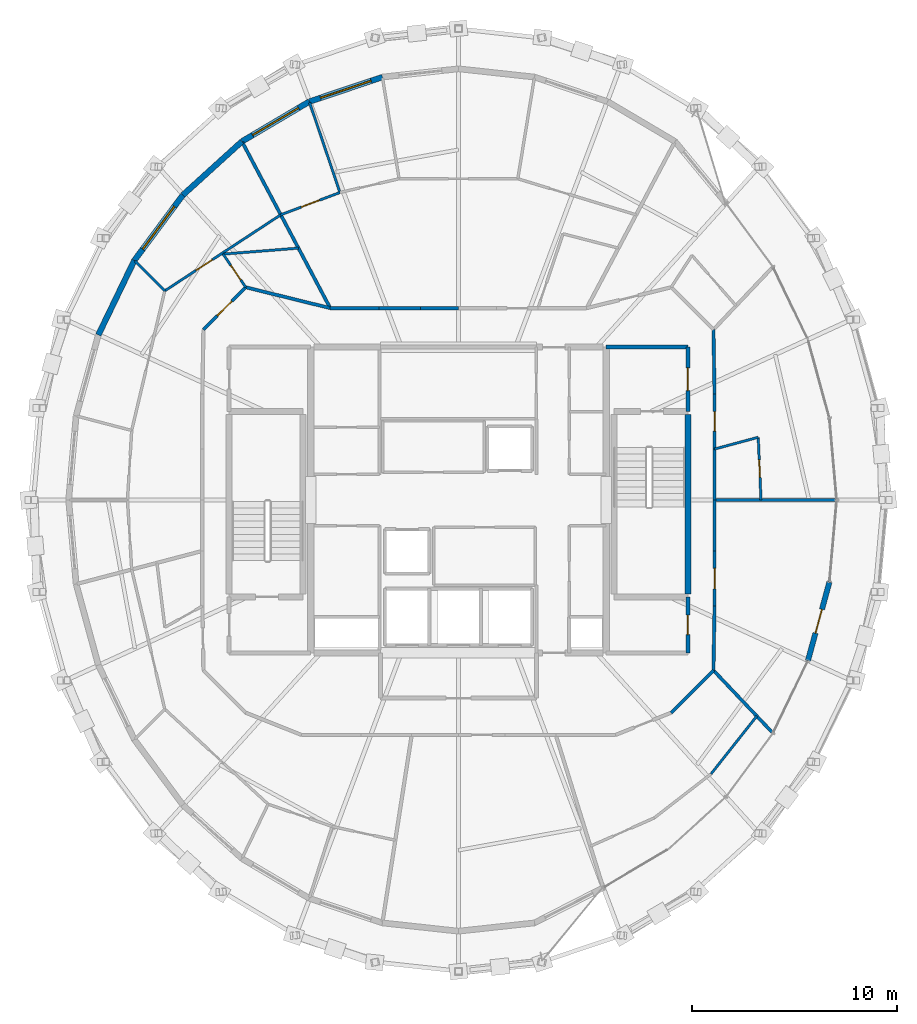
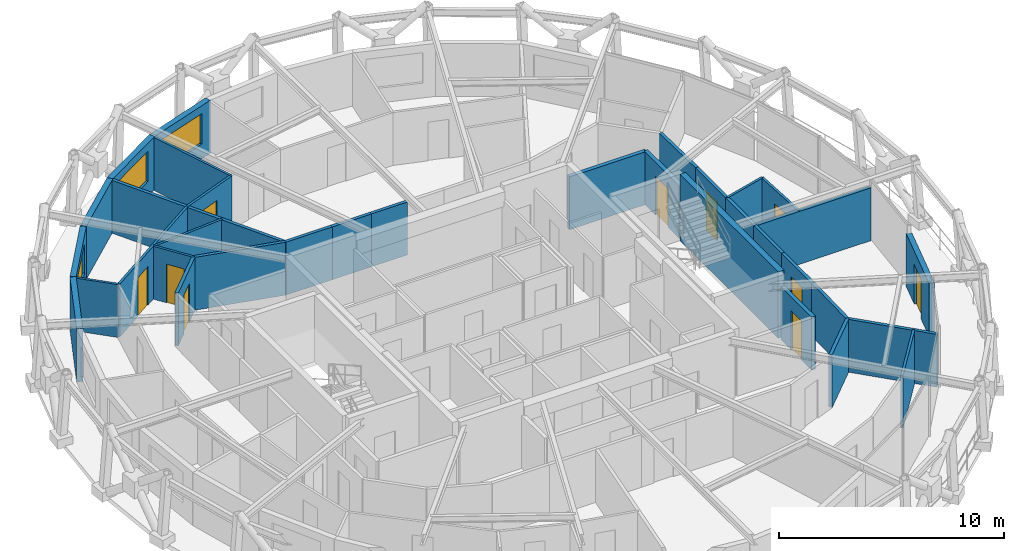
# One storey, part 13 of 15: 34 walls, 10 doors, 3 windows, 13 openings.
"""IFC4 building model written with IfcOpenShell, lengths in metres."""

from ifc_helpers import new_model, si_unit, direction, frame, frame_2d, origin, place, context, subcontext, project, spatial, rectangle, extrude, material, layer, layer_set, type_object, element, fill, save


model = new_model("IFC4")

# Units and contexts
model_context = context("Model", 3, precision=1e-05, world=origin(), true_north=direction((0.0, 1.0)))
body_context = subcontext(model_context, "Body", "Model", "MODEL_VIEW")
ifc_project = project(units=[si_unit("LENGTHUNIT", "METRE"), si_unit("AREAUNIT", "SQUARE_METRE"), si_unit("VOLUMEUNIT", "CUBIC_METRE"), si_unit("PLANEANGLEUNIT", "RADIAN"), si_unit("MASSUNIT", "GRAM", prefix="KILO")], contexts=[model_context])

# Site, building, storey
site_placement = place(None, origin())
site = spatial("IfcSite", under=ifc_project, at=site_placement, CompositionType="ELEMENT")
building_placement = place(site_placement, origin())
building = spatial("IfcBuilding", under=site, at=building_placement, Name="Veldorina Hangang Commons", CompositionType="ELEMENT")
storey_placement = place(building_placement, frame((0.0, 0.0, 276.0)))
storey = spatial("IfcBuildingStorey", under=building, at=storey_placement, Name="L72", CompositionType="ELEMENT", Elevation=276.0)

# Wall, opening, door
ifc_material_1 = material(Name="Stone Roman Travertine", Category="masonry")
ifc_layer_1 = layer(ifc_material_1, 0.260009765625)
ifc_layer_set_1 = layer_set([ifc_layer_1], Name="Stone Roman Travertine")
wall_type_1 = type_object("IfcWallType", Name="EW-LOGGIA-260", PredefinedType="STANDARD", material=ifc_layer_set_1)
wall_1_placement = place(storey_placement, frame((49.031494140625, 16.173095703125, 0.0), z_axis=(0.0, 0.0, 1.0), x_axis=(0.263792473337, 0.964579458112, 0.0)))
wall_1 = element("IfcWall", 1, at=wall_1_placement, inside=storey, type_object=wall_type_1, Name="L72 sky-garden loggia portal wall 30", PredefinedType="STANDARD", context=body_context, shape_type="SweptSolid", body=[
    extrude(rectangle(XDim=3.977783203125, YDim=0.260009765625, at=frame_2d((1.98876953125, 0.0))), origin(), (0.0, 0.0, 1.0), 2.8798828125),
])
opening_1_placement = place(wall_1_placement, frame((1.388916015625, 0.0, 0.0)))
opening_1 = element("IfcOpeningElement", 2, at=opening_1_placement, cuts=wall_1, Name="Opening BD-1200", PredefinedType="OPENING", context=body_context, shape_type="SweptSolid", body=[
    extrude(rectangle(XDim=1.199951171875, YDim=2.14990234375, at=frame_2d((0.60009765625, 1.074951171875))), frame((0.0, 0.14013671875, 0.0), z_axis=(0.0, -1.0, 0.0), x_axis=(1.0, 0.0, 0.0)), (0.0, 0.0, 1.0), 0.280029296875),
])
ifc_material_2 = material(Name="Glass Thermal Aluminium Frame", Category="aluminium")
door_type_1 = type_object("IfcDoorType", Name="DR-EXT-LOG1200", OperationType="SINGLE_SWING_LEFT", PredefinedType="DOOR", material=ifc_material_2)
door_1_placement = place(opening_1_placement, origin())
door_1 = element("IfcDoor", 3, at=door_1_placement, inside=storey, type_object=door_type_1, Name="L72 loggia glazed exterior door 30", OperationType="SINGLE_SWING_LEFT", OverallHeight=2.14990234375, OverallWidth=1.199951171875, PredefinedType="DOOR", context=body_context, shape_type="SweptSolid", body=[
    extrude(rectangle(XDim=1.199951171875, YDim=2.14990234375, at=frame_2d((0.60009765625, 1.074951171875))), frame((0.0, 0.02490234375, 0.0), z_axis=(0.0, -1.0, 0.0), x_axis=(1.0, 0.0, 0.0)), (0.0, 0.0, 1.0), 0.050048828125),
])
fill(opening_1, door_1)

# Wall, opening, window
ifc_layer_2 = layer(ifc_material_1, 0.280029296875)
ifc_layer_set_2 = layer_set([ifc_layer_2], Name="Stone Roman Travertine")
wall_type_2 = type_object("IfcWallType", Name="EW-TRAV-280", PredefinedType="STANDARD", material=ifc_layer_set_2)
wall_2_placement = place(storey_placement, frame((28.294189453125, 44.60888671875, 0.0), z_axis=(0.0, 0.0, 1.0), x_axis=(-0.948038268377, -0.318156316445, 0.0)))
wall_2 = element("IfcWall", 4, at=wall_2_placement, inside=storey, type_object=wall_type_2, Name="L72 travertine facade wall 09", PredefinedType="STANDARD", context=body_context, shape_type="SweptSolid", body=[
    extrude(rectangle(XDim=3.758544921875, YDim=0.280029296875, at=frame_2d((1.87939453125, 0.0))), origin(), (0.0, 0.0, 1.0), 2.8798828125),
])
opening_2_placement = place(wall_2_placement, frame((0.579345703125, 0.0, 0.800048828125)))
opening_2 = element("IfcOpeningElement", 5, at=opening_2_placement, cuts=wall_2, Name="Opening W-02", PredefinedType="OPENING", context=body_context, shape_type="SweptSolid", body=[
    extrude(rectangle(XDim=2.60009765625, YDim=1.64990234375, at=frame_2d((1.300048828125, 0.824951171875))), frame((0.0, 0.14990234375, 0.0), z_axis=(0.0, -1.0, 0.0), x_axis=(1.0, 0.0, 0.0)), (0.0, 0.0, 1.0), 0.300048828125),
])
ifc_material_3 = material(Name="Glass Low-E Triple IGU", Category="glass")
window_type = type_object("IfcWindowType", Name="WIN-TWR-2600", PartitioningType="SINGLE_PANEL", PredefinedType="WINDOW", material=ifc_material_3)
window_1_placement = place(opening_2_placement, origin())
window_1 = element("IfcWindow", 6, at=window_1_placement, inside=storey, type_object=window_type, Name="L72 facade window 09", OverallHeight=1.64990234375, OverallWidth=2.60009765625, PartitioningType="SINGLE_PANEL", PredefinedType="WINDOW", context=body_context, shape_type="SweptSolid", body=[
    extrude(rectangle(XDim=2.60009765625, YDim=1.64990234375, at=frame_2d((1.300048828125, 0.824951171875))), frame((0.0, 0.030029296875, 0.0), z_axis=(0.0, -1.0, 0.0), x_axis=(1.0, 0.0, 0.0)), (0.0, 0.0, 1.0), 0.06005859375),
])
fill(opening_2, window_1)

wall_3_placement = place(storey_placement, frame((24.73095703125, 43.4130859375, 0.0), z_axis=(0.0, 0.0, 1.0), x_axis=(-0.860795275747, -0.508951366294, 0.0)))
wall_3 = element("IfcWall", 7, at=wall_3_placement, inside=storey, type_object=wall_type_2, Name="L72 travertine facade wall 10", PredefinedType="STANDARD", context=body_context, shape_type="SweptSolid", body=[
    extrude(rectangle(XDim=3.81494140625, YDim=0.280029296875, at=frame_2d((1.907470703125, 0.0))), origin(), (0.0, 0.0, 1.0), 2.8798828125),
])
opening_3_placement = place(wall_3_placement, frame((0.607666015625, 0.0, 0.800048828125)))
opening_3 = element("IfcOpeningElement", 8, at=opening_3_placement, cuts=wall_3, Name="Opening W-02", PredefinedType="OPENING", context=body_context, shape_type="SweptSolid", body=[
    extrude(rectangle(XDim=2.60009765625, YDim=1.64990234375, at=frame_2d((1.300048828125, 0.824951171875))), frame((0.0, 0.14990234375, 0.0), z_axis=(0.0, -1.0, 0.0), x_axis=(1.0, 0.0, 0.0)), (0.0, 0.0, 1.0), 0.300048828125),
])
window_2_placement = place(opening_3_placement, origin())
window_2 = element("IfcWindow", 9, at=window_2_placement, inside=storey, type_object=window_type, Name="L72 facade window 10", OverallHeight=1.64990234375, OverallWidth=2.60009765625, PartitioningType="SINGLE_PANEL", PredefinedType="WINDOW", context=body_context, shape_type="SweptSolid", body=[
    extrude(rectangle(XDim=2.60009765625, YDim=1.64990234375, at=frame_2d((1.300048828125, 0.824951171875))), frame((0.0, 0.030029296875, 0.0), z_axis=(0.0, -1.0, 0.0), x_axis=(1.0, 0.0, 0.0)), (0.0, 0.0, 1.0), 0.06005859375),
])
fill(opening_3, window_2)

# Wall
wall_4_placement = place(storey_placement, frame((21.447021484375, 41.471435546875, 0.0), z_axis=(0.0, 0.0, 1.0), x_axis=(-0.740383189604, -0.672185043386, 0.0)))
element("IfcWall", 10, at=wall_4_placement, inside=storey, type_object=wall_type_2, Name="L72 travertine facade wall 11", PredefinedType="STANDARD", context=body_context, shape_type="SweptSolid", body=[
    extrude(rectangle(XDim=3.8876953125, YDim=0.280029296875, at=frame_2d((1.94384765625, 0.0))), origin(), (0.0, 0.0, 1.0), 2.8798828125),
])

# Wall, opening, window
wall_5_placement = place(storey_placement, frame((18.568603515625, 38.858154296875, 0.0), z_axis=(0.0, 0.0, 1.0), x_axis=(-0.595834112452, -0.803107533546, 0.0)))
wall_5 = element("IfcWall", 11, at=wall_5_placement, inside=storey, type_object=wall_type_2, Name="L72 travertine facade wall 12", PredefinedType="STANDARD", context=body_context, shape_type="SweptSolid", body=[
    extrude(rectangle(XDim=3.964599609375, YDim=0.280029296875, at=frame_2d((1.982421875, 0.0))), origin(), (0.0, 0.0, 1.0), 2.8798828125),
])
opening_4_placement = place(wall_5_placement, frame((0.682373046875, 0.0, 0.800048828125)))
opening_4 = element("IfcOpeningElement", 12, at=opening_4_placement, cuts=wall_5, Name="Opening W-02", PredefinedType="OPENING", context=body_context, shape_type="SweptSolid", body=[
    extrude(rectangle(XDim=2.60009765625, YDim=1.64990234375, at=frame_2d((1.300048828125, 0.824951171875))), frame((0.0, 0.14990234375, 0.0), z_axis=(0.0, -1.0, 0.0), x_axis=(1.0, 0.0, 0.0)), (0.0, 0.0, 1.0), 0.300048828125),
])
window_3_placement = place(opening_4_placement, origin())
window_3 = element("IfcWindow", 13, at=window_3_placement, inside=storey, type_object=window_type, Name="L72 facade window 12", OverallHeight=1.64990234375, OverallWidth=2.60009765625, PartitioningType="SINGLE_PANEL", PredefinedType="WINDOW", context=body_context, shape_type="SweptSolid", body=[
    extrude(rectangle(XDim=2.60009765625, YDim=1.64990234375, at=frame_2d((1.300048828125, 0.824951171875))), frame((0.0, 0.030029296875, 0.0), z_axis=(0.0, -1.0, 0.0), x_axis=(1.0, 0.0, 0.0)), (0.0, 0.0, 1.0), 0.06005859375),
])
fill(opening_4, window_3)

# Walls
wall_6_placement = place(storey_placement, frame((16.206298828125, 35.674072265625, 0.0), z_axis=(0.0, 0.0, 1.0), x_axis=(-0.435070554904, -0.900396363973, 0.0)))
element("IfcWall", 14, at=wall_6_placement, inside=storey, type_object=wall_type_2, Name="L72 travertine facade wall 13", PredefinedType="STANDARD", context=body_context, shape_type="SweptSolid", body=[
    extrude(rectangle(XDim=4.03466796875, YDim=0.280029296875, at=frame_2d((2.017333984375, 0.0))), origin(), (0.0, 0.0, 1.0), 2.8798828125),
])
ifc_material_4 = material(Name="Concrete C50/60", Category="concrete")
ifc_layer_3 = layer(ifc_material_4, 0.300048828125)
ifc_layer_set_3 = layer_set([ifc_layer_3], Name="Concrete C50/60")
wall_type_3 = type_object("IfcWallType", Name="SW-STAIR-300", PredefinedType="SHEAR", material=ifc_layer_set_3)
wall_7_placement = place(storey_placement, frame((43.179931640625, 19.429931640625, 0.0), z_axis=(0.0, 0.0, 1.0), x_axis=(0.0, 1.0, 0.0)))
element("IfcWall", 15, at=wall_7_placement, inside=storey, type_object=wall_type_3, Name="L72 ST2 outer stair shear wall", PredefinedType="SHEAR", context=body_context, shape_type="SweptSolid", body=[
    extrude(rectangle(XDim=8.739990234375, YDim=0.300048828125, at=frame_2d((4.3701171875, 0.0))), origin(), (0.0, 0.0, 1.0), 3.60009765625),
])
ifc_material_5 = material(Name="Gypsum Fire-Rated Twin Stud Wall", Category="gypsum")
ifc_layer_4 = layer(ifc_material_5, 0.159912109375)
ifc_layer_set_4 = layer_set([ifc_layer_4], Name="Gypsum Fire-Rated Twin Stud Wall")
wall_type_4 = type_object("IfcWallType", Name="WL-FIRE-160", PredefinedType="SOLIDWALL", material=ifc_layer_set_4)
wall_8_placement = place(storey_placement, frame((44.47998046875, 24.0, 0.0), z_axis=(0.0, 0.0, 1.0), x_axis=(0.0, 1.0, 0.0)))
element("IfcWall", 16, at=wall_8_placement, inside=storey, type_object=wall_type_4, Name="L72 Compact collar outer wall 00 052", PredefinedType="SOLIDWALL", context=body_context, shape_type="SweptSolid", body=[
    extrude(rectangle(XDim=2.482421875, YDim=0.159912109375, at=frame_2d((1.2412109375, 0.0))), origin(), (0.0, 0.0, 1.0), 2.8701171875),
])

# Wall, opening, door
wall_9_placement = place(storey_placement, frame((44.47998046875, 26.482421875, 0.0), z_axis=(0.0, 0.0, 1.0), x_axis=(0.0, 1.0, 0.0)))
wall_9 = element("IfcWall", 17, at=wall_9_placement, inside=storey, type_object=wall_type_4, Name="L72 Compact collar outer wall 01 053", PredefinedType="SOLIDWALL", context=body_context, shape_type="SweptSolid", body=[
    extrude(rectangle(XDim=2.68701171875, YDim=0.159912109375, at=frame_2d((1.343505859375, 0.0))), origin(), (0.0, 0.0, 1.0), 2.8701171875),
])
opening_5_placement = place(wall_9_placement, frame((0.868408203125, 0.0, 0.0)))
opening_5 = element("IfcOpeningElement", 18, at=opening_5_placement, cuts=wall_9, Name="Opening D-03", PredefinedType="OPENING", context=body_context, shape_type="SweptSolid", body=[
    extrude(rectangle(XDim=0.949951171875, YDim=2.10009765625, at=frame_2d((0.47509765625, 1.050048828125))), frame((0.0, 0.08984375, 0.0), z_axis=(0.0, -1.0, 0.0), x_axis=(1.0, 0.0, 0.0)), (0.0, 0.0, 1.0), 0.179931640625),
])
ifc_material_6 = material(Name="Timber Fire-Rated Entrance Core", Category="wood")
door_type_2 = type_object("IfcDoorType", Name="DR-UNIT-950", OperationType="SINGLE_SWING_RIGHT", PredefinedType="DOOR", material=ifc_material_6)
door_2_placement = place(opening_5_placement, origin())
door_2 = element("IfcDoor", 19, at=door_2_placement, inside=storey, type_object=door_type_2, Name="L72 Studio 2 entrance door 022", OperationType="SINGLE_SWING_RIGHT", OverallHeight=2.10009765625, OverallWidth=0.949951171875, PredefinedType="DOOR", context=body_context, shape_type="SweptSolid", body=[
    extrude(rectangle(XDim=0.949951171875, YDim=2.10009765625, at=frame_2d((0.47509765625, 1.050048828125))), frame((0.0, 0.02490234375, 0.0), z_axis=(0.0, -1.0, 0.0), x_axis=(1.0, 0.0, 0.0)), (0.0, 0.0, 1.0), 0.050048828125),
])
fill(opening_5, door_2)

# Walls
wall_10_placement = place(storey_placement, frame((44.47998046875, 29.16943359375, 0.0), z_axis=(0.0, 0.0, 1.0), x_axis=(-0.016981035134, 0.999855811828, 0.0)))
element("IfcWall", 20, at=wall_10_placement, inside=storey, type_object=wall_type_4, Name="L72 Compact collar outer wall 02 054", PredefinedType="SOLIDWALL", context=body_context, shape_type="SweptSolid", body=[
    extrude(rectangle(XDim=3.13427734375, YDim=0.159912109375, at=frame_2d((1.567138671875, 0.0))), origin(), (0.0, 0.0, 1.0), 2.8701171875),
])
wall_11_placement = place(storey_placement, frame((32.0, 33.35009765625, 0.0), z_axis=(0.0, 0.0, 1.0), x_axis=(-1.0, 0.0, 0.0)))
element("IfcWall", 21, at=wall_11_placement, inside=storey, type_object=wall_type_4, Name="L72 Compact collar outer wall 08 060", PredefinedType="SOLIDWALL", context=body_context, shape_type="SweptSolid", body=[
    extrude(rectangle(XDim=1.85986328125, YDim=0.159912109375, at=frame_2d((0.929931640625, 0.0))), origin(), (0.0, 0.0, 1.0), 2.8701171875),
])
wall_12_placement = place(storey_placement, frame((30.14013671875, 33.35009765625, 0.0), z_axis=(0.0, 0.0, 1.0), x_axis=(-1.0, 0.0, 0.0)))
element("IfcWall", 22, at=wall_12_placement, inside=storey, type_object=wall_type_4, Name="L72 Compact collar outer wall 09 061", PredefinedType="SOLIDWALL", context=body_context, shape_type="SweptSolid", body=[
    extrude(rectangle(XDim=2.012939453125, YDim=0.159912109375, at=frame_2d((1.00634765625, 0.0))), origin(), (0.0, 0.0, 1.0), 2.8701171875),
])
wall_13_placement = place(storey_placement, frame((28.127197265625, 33.35009765625, 0.0), z_axis=(0.0, 0.0, 1.0), x_axis=(-1.0, 0.0, 0.0)))
element("IfcWall", 23, at=wall_13_placement, inside=storey, type_object=wall_type_4, Name="L72 Compact collar outer wall 10 062", PredefinedType="SOLIDWALL", context=body_context, shape_type="SweptSolid", body=[
    extrude(rectangle(XDim=2.374755859375, YDim=0.159912109375, at=frame_2d((1.1875, 0.0))), origin(), (0.0, 0.0, 1.0), 2.8701171875),
])
wall_14_placement = place(storey_placement, frame((25.75244140625, 33.35009765625, 0.0), z_axis=(0.0, 0.0, 1.0), x_axis=(-0.970939799552, 0.239323850978, 0.0)))
element("IfcWall", 24, at=wall_14_placement, inside=storey, type_object=wall_type_4, Name="L72 Compact collar outer wall 11 063", PredefinedType="SOLIDWALL", context=body_context, shape_type="SweptSolid", body=[
    extrude(rectangle(XDim=4.24072265625, YDim=0.159912109375, at=frame_2d((2.120361328125, 0.0))), origin(), (0.0, 0.0, 1.0), 2.8701171875),
])

# Wall, opening, door
wall_15_placement = place(storey_placement, frame((21.635009765625, 34.364990234375, 0.0), z_axis=(0.0, 0.0, 1.0), x_axis=(-0.707106781187, -0.707106781187, 0.0)))
wall_15 = element("IfcWall", 25, at=wall_15_placement, inside=storey, type_object=wall_type_4, Name="L72 Compact collar outer wall 12 064", PredefinedType="SOLIDWALL", context=body_context, shape_type="SweptSolid", body=[
    extrude(rectangle(XDim=2.915771484375, YDim=0.159912109375, at=frame_2d((1.4580078125, 0.0))), origin(), (0.0, 0.0, 1.0), 2.8701171875),
])
opening_6_placement = place(wall_15_placement, frame((0.9580078125, 0.0, 0.0)))
opening_6 = element("IfcOpeningElement", 26, at=opening_6_placement, cuts=wall_15, Name="Opening D-06", PredefinedType="OPENING", context=body_context, shape_type="SweptSolid", body=[
    extrude(rectangle(XDim=1.0, YDim=2.10009765625, at=frame_2d((0.5, 1.050048828125))), frame((0.0, 0.08984375, 0.0), z_axis=(0.0, -1.0, 0.0), x_axis=(1.0, 0.0, 0.0)), (0.0, 0.0, 1.0), 0.179931640625),
])
door_type_3 = type_object("IfcDoorType", Name="DR-UNIT-1000", OperationType="SINGLE_SWING_LEFT", PredefinedType="DOOR", material=ifc_material_6)
door_3_placement = place(opening_6_placement, origin())
door_3 = element("IfcDoor", 27, at=door_3_placement, inside=storey, type_object=door_type_3, Name="L72 Cluster 5 entrance door 032", OperationType="SINGLE_SWING_RIGHT", OverallHeight=2.10009765625, OverallWidth=1.0, PredefinedType="DOOR", context=body_context, shape_type="SweptSolid", body=[
    extrude(rectangle(XDim=1.0, YDim=2.10009765625, at=frame_2d((0.5, 1.050048828125))), frame((0.0, 0.02490234375, 0.0), z_axis=(0.0, -1.0, 0.0), x_axis=(1.0, 0.0, 0.0)), (0.0, 0.0, 1.0), 0.050048828125),
])
fill(opening_6, door_3)

# Walls
wall_16_placement = place(storey_placement, frame((42.364990234375, 13.635009765625, 0.0), z_axis=(0.0, 0.0, 1.0), x_axis=(0.707106781187, 0.707106781187, 0.0)))
element("IfcWall", 28, at=wall_16_placement, inside=storey, type_object=wall_type_4, Name="L72 Compact collar outer wall 28 080", PredefinedType="SOLIDWALL", context=body_context, shape_type="SweptSolid", body=[
    extrude(rectangle(XDim=2.915771484375, YDim=0.159912109375, at=frame_2d((1.4580078125, 0.0))), origin(), (0.0, 0.0, 1.0), 2.8701171875),
])
wall_17_placement = place(storey_placement, frame((44.4267578125, 15.69677734375, 0.0), z_axis=(0.0, 0.0, 1.0), x_axis=(0.016981035134, 0.999855811828, 0.0)))
element("IfcWall", 29, at=wall_17_placement, inside=storey, type_object=wall_type_4, Name="L72 Compact collar outer wall 29 081", PredefinedType="SOLIDWALL", context=body_context, shape_type="SweptSolid", body=[
    extrude(rectangle(XDim=3.13427734375, YDim=0.159912109375, at=frame_2d((1.567138671875, 0.0))), origin(), (0.0, 0.0, 1.0), 2.8701171875),
])

# Wall, opening, door
wall_18_placement = place(storey_placement, frame((44.47998046875, 18.83056640625, 0.0), z_axis=(0.0, 0.0, 1.0), x_axis=(0.0, 1.0, 0.0)))
wall_18 = element("IfcWall", 30, at=wall_18_placement, inside=storey, type_object=wall_type_4, Name="L72 Compact collar outer wall 30 082", PredefinedType="SOLIDWALL", context=body_context, shape_type="SweptSolid", body=[
    extrude(rectangle(XDim=2.68701171875, YDim=0.159912109375, at=frame_2d((1.343505859375, 0.0))), origin(), (0.0, 0.0, 1.0), 2.8701171875),
])
opening_7_placement = place(wall_18_placement, frame((0.843505859375, 0.0, 0.0)))
opening_7 = element("IfcOpeningElement", 31, at=opening_7_placement, cuts=wall_18, Name="Opening D-05", PredefinedType="OPENING", context=body_context, shape_type="SweptSolid", body=[
    extrude(rectangle(XDim=1.0, YDim=2.10009765625, at=frame_2d((0.5, 1.050048828125))), frame((0.0, 0.08984375, 0.0), z_axis=(0.0, -1.0, 0.0), x_axis=(1.0, 0.0, 0.0)), (0.0, 0.0, 1.0), 0.179931640625),
])
ifc_material_7 = material(Name="Timber Solid Core Acoustic", Category="wood")
door_type_4 = type_object("IfcDoorType", Name="DR-INT-1000", OperationType="SINGLE_SWING_RIGHT", PredefinedType="DOOR", material=ifc_material_7)
door_4_placement = place(opening_7_placement, origin())
door_4 = element("IfcDoor", 32, at=door_4_placement, inside=storey, type_object=door_type_4, Name="L72 Sky-Garden Commons Lounge door 020", OperationType="SINGLE_SWING_RIGHT", OverallHeight=2.10009765625, OverallWidth=1.0, PredefinedType="DOOR", context=body_context, shape_type="SweptSolid", body=[
    extrude(rectangle(XDim=1.0, YDim=2.10009765625, at=frame_2d((0.5, 1.050048828125))), frame((0.0, 0.02490234375, 0.0), z_axis=(0.0, -1.0, 0.0), x_axis=(1.0, 0.0, 0.0)), (0.0, 0.0, 1.0), 0.050048828125),
])
fill(opening_7, door_4)

# Walls
wall_19_placement = place(storey_placement, frame((44.47998046875, 21.517578125, 0.0), z_axis=(0.0, 0.0, 1.0), x_axis=(0.0, 1.0, 0.0)))
element("IfcWall", 33, at=wall_19_placement, inside=storey, type_object=wall_type_4, Name="L72 Compact collar outer wall 31 083", PredefinedType="SOLIDWALL", context=body_context, shape_type="SweptSolid", body=[
    extrude(rectangle(XDim=2.482421875, YDim=0.159912109375, at=frame_2d((1.2412109375, 0.0))), origin(), (0.0, 0.0, 1.0), 2.8701171875),
])
wall_20_placement = place(storey_placement, frame((44.4267578125, 15.69677734375, 0.0), z_axis=(0.0, 0.0, 1.0), x_axis=(0.688077752734, -0.72563696584, 0.0)))
element("IfcWall", 34, at=wall_20_placement, inside=storey, type_object=wall_type_4, Name="L72 Unit party wall 29 084", PredefinedType="SOLIDWALL", context=body_context, shape_type="SweptSolid", body=[
    extrude(rectangle(XDim=4.16650390625, YDim=0.159912109375, at=frame_2d((2.083251953125, 0.0))), origin(), (0.0, 0.0, 1.0), 2.8701171875),
])
wall_21_placement = place(storey_placement, frame((44.47998046875, 24.0, 0.0), z_axis=(0.0, 0.0, 1.0), x_axis=(1.0, 0.0, 0.0)))
element("IfcWall", 35, at=wall_21_placement, inside=storey, type_object=wall_type_4, Name="L72 Unit party wall 00 085", PredefinedType="SOLIDWALL", context=body_context, shape_type="SweptSolid", body=[
    extrude(rectangle(XDim=5.905029296875, YDim=0.159912109375, at=frame_2d((2.95263671875, 0.0))), origin(), (0.0, 0.0, 1.0), 2.8701171875),
])
wall_22_placement = place(storey_placement, frame((25.75244140625, 33.35009765625, 0.0), z_axis=(0.0, 0.0, 1.0), x_axis=(-0.468387037798, 0.883523391214, 0.0)))
element("IfcWall", 36, at=wall_22_placement, inside=storey, type_object=wall_type_4, Name="L72 Unit party wall 11 101", PredefinedType="SOLIDWALL", context=body_context, shape_type="SweptSolid", body=[
    extrude(rectangle(XDim=9.14208984375, YDim=0.159912109375, at=frame_2d((4.571044921875, 0.0))), origin(), (0.0, 0.0, 1.0), 2.8701171875),
])

# Wall, opening, door
ifc_material_8 = material(Name="Concrete Blockwork Fire Wall C30/37", Category="masonry")
ifc_layer_5 = layer(ifc_material_8, 0.199951171875)
ifc_layer_set_5 = layer_set([ifc_layer_5], Name="Concrete Blockwork Fire Wall C30/37")
wall_type_5 = type_object("IfcWallType", Name="WL-FIRE-200", PredefinedType="SOLIDWALL", material=ifc_layer_set_5)
wall_23_placement = place(storey_placement, frame((43.179931640625, 28.320068359375, 0.0), z_axis=(0.0, 0.0, 1.0), x_axis=(0.0, 1.0, 0.0)))
wall_23 = element("IfcWall", 37, at=wall_23_placement, inside=storey, type_object=wall_type_5, Name="L72 East vestibule outer wall 003", PredefinedType="SOLIDWALL", context=body_context, shape_type="SweptSolid", body=[
    extrude(rectangle(XDim=3.1298828125, YDim=0.199951171875, at=frame_2d((1.56494140625, 0.0))), origin(), (0.0, 0.0, 1.0), 2.8701171875),
])
opening_8_placement = place(wall_23_placement, frame((1.014892578125, 0.0, 0.0)))
opening_8 = element("IfcOpeningElement", 38, at=opening_8_placement, cuts=wall_23, Name="Opening D-08", PredefinedType="OPENING", context=body_context, shape_type="SweptSolid", body=[
    extrude(rectangle(XDim=1.10009765625, YDim=2.10009765625, at=frame_2d((0.550048828125, 1.050048828125))), frame((0.0, 0.10986328125, 0.0), z_axis=(0.0, -1.0, 0.0), x_axis=(1.0, 0.0, 0.0)), (0.0, 0.0, 1.0), 0.219970703125),
])
ifc_material_9 = material(Name="Steel Fire-Rated Smoke Seal", Category="steel")
door_type_5 = type_object("IfcDoorType", Name="DR-FIRE-1100", OperationType="SINGLE_SWING_RIGHT", PredefinedType="DOOR", material=ifc_material_9)
door_5_placement = place(opening_8_placement, origin())
door_5 = element("IfcDoor", 39, at=door_5_placement, inside=storey, type_object=door_type_5, Name="L72 East vestibule east door 002", OperationType="SINGLE_SWING_RIGHT", OverallHeight=2.10009765625, OverallWidth=1.10009765625, PredefinedType="DOOR", context=body_context, shape_type="SweptSolid", body=[
    extrude(rectangle(XDim=1.10009765625, YDim=2.10009765625, at=frame_2d((0.550048828125, 1.050048828125))), frame((0.0, 0.02490234375, 0.0), z_axis=(0.0, -1.0, 0.0), x_axis=(1.0, 0.0, 0.0)), (0.0, 0.0, 1.0), 0.050048828125),
])
fill(opening_8, door_5)

# Wall
wall_24_placement = place(storey_placement, frame((39.199951171875, 31.449951171875, 0.0), z_axis=(0.0, 0.0, 1.0), x_axis=(1.0, 0.0, 0.0)))
element("IfcWall", 40, at=wall_24_placement, inside=storey, type_object=wall_type_5, Name="L72 East vestibule north wall 004", PredefinedType="SOLIDWALL", context=body_context, shape_type="SweptSolid", body=[
    extrude(rectangle(XDim=3.97998046875, YDim=0.199951171875, at=frame_2d((1.989990234375, 0.0))), origin(), (0.0, 0.0, 1.0), 2.8701171875),
])

# Wall, opening, door
wall_25_placement = place(storey_placement, frame((43.179931640625, 16.550048828125, 0.0), z_axis=(0.0, 0.0, 1.0), x_axis=(0.0, 1.0, 0.0)))
wall_25 = element("IfcWall", 41, at=wall_25_placement, inside=storey, type_object=wall_type_5, Name="L72 SE core room outer wall 007", PredefinedType="SOLIDWALL", context=body_context, shape_type="SweptSolid", body=[
    extrude(rectangle(XDim=2.72998046875, YDim=0.199951171875, at=frame_2d((1.364990234375, 0.0))), origin(), (0.0, 0.0, 1.0), 2.8701171875),
])
opening_9_placement = place(wall_25_placement, frame((0.889892578125, 0.0, 0.0)))
opening_9 = element("IfcOpeningElement", 42, at=opening_9_placement, cuts=wall_25, Name="Opening D-02", PredefinedType="OPENING", context=body_context, shape_type="SweptSolid", body=[
    extrude(rectangle(XDim=0.949951171875, YDim=2.10009765625, at=frame_2d((0.47509765625, 1.050048828125))), frame((0.0, 0.10986328125, 0.0), z_axis=(0.0, -1.0, 0.0), x_axis=(1.0, 0.0, 0.0)), (0.0, 0.0, 1.0), 0.219970703125),
])
door_type_6 = type_object("IfcDoorType", Name="DR-INT-950", OperationType="SINGLE_SWING_LEFT", PredefinedType="DOOR", material=ifc_material_7)
door_6_placement = place(opening_9_placement, origin())
door_6 = element("IfcDoor", 43, at=door_6_placement, inside=storey, type_object=door_type_6, Name="L72 SE core WC door 004", OperationType="SINGLE_SWING_RIGHT", OverallHeight=2.10009765625, OverallWidth=0.949951171875, PredefinedType="DOOR", context=body_context, shape_type="SweptSolid", body=[
    extrude(rectangle(XDim=0.949951171875, YDim=2.10009765625, at=frame_2d((0.47509765625, 1.050048828125))), frame((0.0, 0.02490234375, 0.0), z_axis=(0.0, -1.0, 0.0), x_axis=(1.0, 0.0, 0.0)), (0.0, 0.0, 1.0), 0.050048828125),
])
fill(opening_9, door_6)

ifc_material_10 = material(Name="Gypsum Acoustic Stud Partition", Category="gypsum")
ifc_layer_6 = layer(ifc_material_10, 0.1201171875)
ifc_layer_set_6 = layer_set([ifc_layer_6], Name="Gypsum Acoustic Stud Partition")
wall_type_6 = type_object("IfcWallType", Name="WL-PART-120", PredefinedType="PARTITIONING", material=ifc_layer_set_6)
wall_26_placement = place(storey_placement, frame((46.742919921875, 24.0, 0.0), z_axis=(0.0, 0.0, 1.0), x_axis=(-0.043984558391, 0.999032211004, 0.0)))
wall_26 = element("IfcWall", 44, at=wall_26_placement, inside=storey, type_object=wall_type_6, Name="L72 Studio 2 bath front wall 086", PredefinedType="PARTITIONING", context=body_context, shape_type="SweptSolid", body=[
    extrude(rectangle(XDim=3.058349609375, YDim=0.1201171875, at=frame_2d((1.529296875, 0.0))), origin(), (0.0, 0.0, 1.0), 2.8701171875),
])
opening_10_placement = place(wall_26_placement, frame((1.09912109375, 0.0, 0.0)))
opening_10 = element("IfcOpeningElement", 45, at=opening_10_placement, cuts=wall_26, Name="Opening D-01", PredefinedType="OPENING", context=body_context, shape_type="SweptSolid", body=[
    extrude(rectangle(XDim=0.860107421875, YDim=2.10009765625, at=frame_2d((0.43017578125, 1.050048828125))), frame((0.0, 0.070068359375, 0.0), z_axis=(0.0, -1.0, 0.0), x_axis=(1.0, 0.0, 0.0)), (0.0, 0.0, 1.0), 0.14013671875),
])
ifc_material_11 = material(Name="Timber Moisture-Resistant Core", Category="wood")
door_type_7 = type_object("IfcDoorType", Name="DR-WET-860", OperationType="SINGLE_SWING_LEFT", PredefinedType="DOOR", material=ifc_material_11)
door_7_placement = place(opening_10_placement, origin())
door_7 = element("IfcDoor", 46, at=door_7_placement, inside=storey, type_object=door_type_7, Name="L72 Studio 2 bathroom door 021", OperationType="SINGLE_SWING_LEFT", OverallHeight=2.10009765625, OverallWidth=0.860107421875, PredefinedType="DOOR", context=body_context, shape_type="SweptSolid", body=[
    extrude(rectangle(XDim=0.860107421875, YDim=2.10009765625, at=frame_2d((0.43017578125, 1.050048828125))), frame((0.0, 0.02490234375, 0.0), z_axis=(0.0, -1.0, 0.0), x_axis=(1.0, 0.0, 0.0)), (0.0, 0.0, 1.0), 0.050048828125),
])
fill(opening_10, door_7)

# Wall
wall_27_placement = place(storey_placement, frame((44.47998046875, 26.482421875, 0.0), z_axis=(0.0, 0.0, 1.0), x_axis=(0.965620036081, 0.259957584845, 0.0)))
element("IfcWall", 47, at=wall_27_placement, inside=storey, type_object=wall_type_6, Name="L72 Studio 2 bath side wall 087", PredefinedType="PARTITIONING", context=body_context, shape_type="SweptSolid", body=[
    extrude(rectangle(XDim=2.2041015625, YDim=0.1201171875, at=frame_2d((1.10205078125, 0.0))), origin(), (0.0, 0.0, 1.0), 2.8701171875),
])

# Wall, opening, door
wall_28_placement = place(storey_placement, frame((26.225341796875, 38.9853515625, 0.0), z_axis=(0.0, 0.0, 1.0), x_axis=(-0.935699429687, -0.352798210431, 0.0)))
wall_28 = element("IfcWall", 48, at=wall_28_placement, inside=storey, type_object=wall_type_6, Name="L72 Cluster 4 bed 4 front wall 099", PredefinedType="PARTITIONING", context=body_context, shape_type="SweptSolid", body=[
    extrude(rectangle(XDim=3.082275390625, YDim=0.1201171875, at=frame_2d((1.541015625, 0.0))), origin(), (0.0, 0.0, 1.0), 2.8701171875),
])
opening_11_placement = place(wall_28_placement, frame((1.066162109375, 0.0, 0.0)))
opening_11 = element("IfcOpeningElement", 49, at=opening_11_placement, cuts=wall_28, Name="Opening D-02", PredefinedType="OPENING", context=body_context, shape_type="SweptSolid", body=[
    extrude(rectangle(XDim=0.949951171875, YDim=2.10009765625, at=frame_2d((0.47509765625, 1.050048828125))), frame((0.0, 0.070068359375, 0.0), z_axis=(0.0, -1.0, 0.0), x_axis=(1.0, 0.0, 0.0)), (0.0, 0.0, 1.0), 0.14013671875),
])
door_8_placement = place(opening_11_placement, origin())
door_8 = element("IfcDoor", 50, at=door_8_placement, inside=storey, type_object=door_type_6, Name="L72 Cluster 4 bed 4 door 030", OperationType="SINGLE_SWING_RIGHT", OverallHeight=2.10009765625, OverallWidth=0.949951171875, PredefinedType="DOOR", context=body_context, shape_type="SweptSolid", body=[
    extrude(rectangle(XDim=0.949951171875, YDim=2.10009765625, at=frame_2d((0.47509765625, 1.050048828125))), frame((0.0, 0.02490234375, 0.0), z_axis=(0.0, -1.0, 0.0), x_axis=(1.0, 0.0, 0.0)), (0.0, 0.0, 1.0), 0.050048828125),
])
fill(opening_11, door_8)

# Walls
wall_29_placement = place(storey_placement, frame((26.225341796875, 38.9853515625, 0.0), z_axis=(0.0, 0.0, 1.0), x_axis=(-0.31975849533, 0.947499078978, 0.0)))
element("IfcWall", 51, at=wall_29_placement, inside=storey, type_object=wall_type_6, Name="L72 Cluster 4 bed divider 3 100", PredefinedType="PARTITIONING", context=body_context, shape_type="SweptSolid", body=[
    extrude(rectangle(XDim=4.623046875, YDim=0.1201171875, at=frame_2d((2.3115234375, 0.0))), origin(), (0.0, 0.0, 1.0), 2.8701171875),
])
wall_30_placement = place(storey_placement, frame((24.202392578125, 36.273681640625, 0.0), z_axis=(0.0, 0.0, 1.0), x_axis=(-0.996873188539, -0.079018010423, 0.0)))
element("IfcWall", 52, at=wall_30_placement, inside=storey, type_object=wall_type_6, Name="L72 Cluster 5 bath front wall 102", PredefinedType="PARTITIONING", context=body_context, shape_type="SweptSolid", body=[
    extrude(rectangle(XDim=3.682861328125, YDim=0.1201171875, at=frame_2d((1.84130859375, 0.0))), origin(), (0.0, 0.0, 1.0), 2.8701171875),
])

# Wall, opening, door
wall_31_placement = place(storey_placement, frame((21.635009765625, 34.364990234375, 0.0), z_axis=(0.0, 0.0, 1.0), x_axis=(-0.563700368574, 0.825979354748, 0.0)))
wall_31 = element("IfcWall", 53, at=wall_31_placement, inside=storey, type_object=wall_type_6, Name="L72 Cluster 5 bath side wall 103", PredefinedType="PARTITIONING", context=body_context, shape_type="SweptSolid", body=[
    extrude(rectangle(XDim=1.95849609375, YDim=0.1201171875, at=frame_2d((0.979248046875, 0.0))), origin(), (0.0, 0.0, 1.0), 2.8701171875),
])
opening_12_placement = place(wall_31_placement, frame((0.43994140625, 0.0, 0.0)))
opening_12 = element("IfcOpeningElement", 54, at=opening_12_placement, cuts=wall_31, Name="Opening D-01", PredefinedType="OPENING", context=body_context, shape_type="SweptSolid", body=[
    extrude(rectangle(XDim=0.860107421875, YDim=2.10009765625, at=frame_2d((0.43017578125, 1.050048828125))), frame((0.0, 0.070068359375, 0.0), z_axis=(0.0, -1.0, 0.0), x_axis=(1.0, 0.0, 0.0)), (0.0, 0.0, 1.0), 0.14013671875),
])
door_9_placement = place(opening_12_placement, origin())
door_9 = element("IfcDoor", 55, at=door_9_placement, inside=storey, type_object=door_type_7, Name="L72 Cluster 5 shared bathroom door 031", OperationType="SINGLE_SWING_LEFT", OverallHeight=2.10009765625, OverallWidth=0.860107421875, PredefinedType="DOOR", context=body_context, shape_type="SweptSolid", body=[
    extrude(rectangle(XDim=0.860107421875, YDim=2.10009765625, at=frame_2d((0.43017578125, 1.050048828125))), frame((0.0, 0.02490234375, 0.0), z_axis=(0.0, -1.0, 0.0), x_axis=(1.0, 0.0, 0.0)), (0.0, 0.0, 1.0), 0.050048828125),
])
fill(opening_12, door_9)

wall_32_placement = place(storey_placement, frame((23.34130859375, 37.89794921875, 0.0), z_axis=(0.0, 0.0, 1.0), x_axis=(-0.836259569514, -0.548333778274, 0.0)))
wall_32 = element("IfcWall", 56, at=wall_32_placement, inside=storey, type_object=wall_type_6, Name="L72 Cluster 5 bed 1 front wall 104", PredefinedType="PARTITIONING", context=body_context, shape_type="SweptSolid", body=[
    extrude(rectangle(XDim=6.760498046875, YDim=0.1201171875, at=frame_2d((3.38037109375, 0.0))), origin(), (0.0, 0.0, 1.0), 2.8701171875),
])
opening_13_placement = place(wall_32_placement, frame((3.989990234375, 0.0, 0.0)))
opening_13 = element("IfcOpeningElement", 57, at=opening_13_placement, cuts=wall_32, Name="Opening D-02", PredefinedType="OPENING", context=body_context, shape_type="SweptSolid", body=[
    extrude(rectangle(XDim=0.949951171875, YDim=2.10009765625, at=frame_2d((0.47509765625, 1.050048828125))), frame((0.0, 0.070068359375, 0.0), z_axis=(0.0, -1.0, 0.0), x_axis=(1.0, 0.0, 0.0)), (0.0, 0.0, 1.0), 0.14013671875),
])
door_10_placement = place(opening_13_placement, origin())
door_10 = element("IfcDoor", 58, at=door_10_placement, inside=storey, type_object=door_type_6, Name="L72 Cluster 5 bed 1 door 033", OperationType="SINGLE_SWING_LEFT", OverallHeight=2.10009765625, OverallWidth=0.949951171875, PredefinedType="DOOR", context=body_context, shape_type="SweptSolid", body=[
    extrude(rectangle(XDim=0.949951171875, YDim=2.10009765625, at=frame_2d((0.47509765625, 1.050048828125))), frame((0.0, 0.02490234375, 0.0), z_axis=(0.0, -1.0, 0.0), x_axis=(1.0, 0.0, 0.0)), (0.0, 0.0, 1.0), 0.050048828125),
])
fill(opening_13, door_10)

# Walls
wall_33_placement = place(storey_placement, frame((17.687744140625, 34.19091796875, 0.0), z_axis=(0.0, 0.0, 1.0), x_axis=(-0.706689063462, 0.707524252293, 0.0)))
element("IfcWall", 59, at=wall_33_placement, inside=storey, type_object=wall_type_6, Name="L72 Cluster 5 bed divider 1 106", PredefinedType="PARTITIONING", context=body_context, shape_type="SweptSolid", body=[
    extrude(rectangle(XDim=2.046142578125, YDim=0.1201171875, at=frame_2d((1.02294921875, 0.0))), origin(), (0.0, 0.0, 1.0), 2.8701171875),
])
wall_34_placement = place(storey_placement, frame((44.309326171875, 10.651611328125, 0.0), z_axis=(0.0, 0.0, 1.0), x_axis=(0.620626365253, 0.78410644351, 0.0)))
element("IfcWall", 60, at=wall_34_placement, inside=storey, type_object=wall_type_6, Name="L72 Laundry split 2 125", PredefinedType="PARTITIONING", context=body_context, shape_type="SweptSolid", body=[
    extrude(rectangle(XDim=3.593017578125, YDim=0.1201171875, at=frame_2d((1.79638671875, 0.0))), origin(), (0.0, 0.0, 1.0), 2.8701171875),
])

save(model, "model.ifc")
